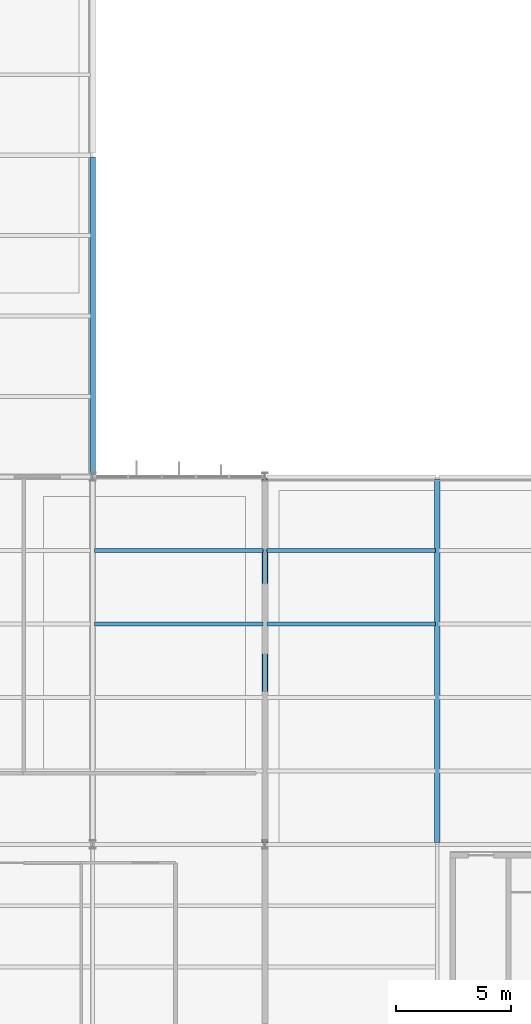
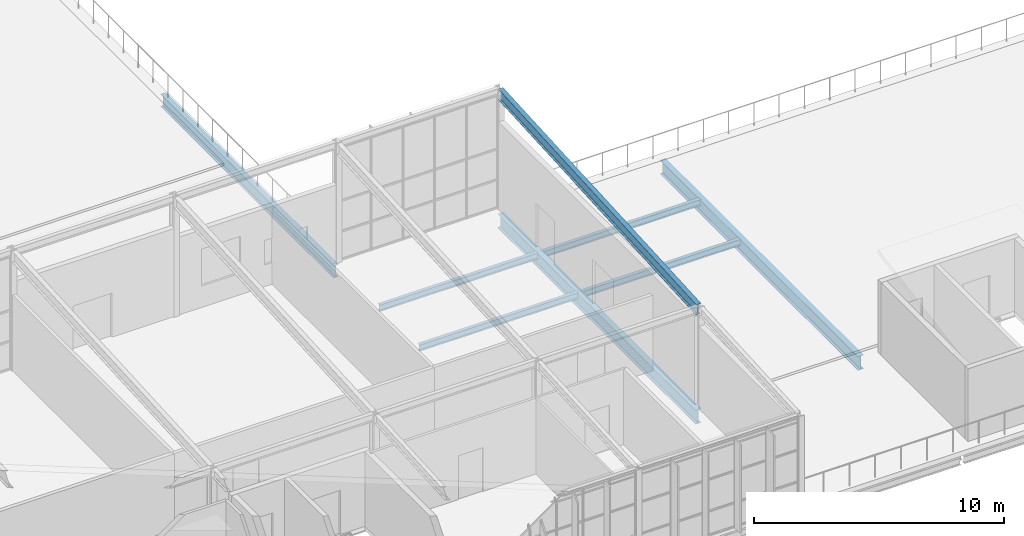
# One storey, part 28 of 104: 8 beams.
"""IFC4 building model written with IfcOpenShell, lengths in metres."""

from ifc_helpers import new_model, si_unit, direction, frame, origin, origin_2d, place, context, subcontext, project, spatial, i_section, extrude, material, material_profile, profile_set, type_object, element, save


model = new_model("IFC4")

# Units and contexts
model_context = context("Model", 3, precision=1e-05, world=origin(), true_north=direction((0.0, 1.0)))
body_context = subcontext(model_context, "Body", "Model", "MODEL_VIEW")
ifc_project = project(units=[si_unit("LENGTHUNIT", "METRE"), si_unit("AREAUNIT", "SQUARE_METRE"), si_unit("VOLUMEUNIT", "CUBIC_METRE"), si_unit("PLANEANGLEUNIT", "RADIAN"), si_unit("MASSUNIT", "GRAM", prefix="KILO")], contexts=[model_context])

# Site, building, storey
site_placement = place(None, origin())
site = spatial("IfcSite", under=ifc_project, at=site_placement, CompositionType="ELEMENT")
building_placement = place(site_placement, origin())
building = spatial("IfcBuilding", under=site, at=building_placement, Name="Solvenia Promenade Tram Depot", CompositionType="ELEMENT")
storey_placement = place(building_placement, frame((0.0, 0.0, 9.0)))
storey = spatial("IfcBuildingStorey", under=building, at=storey_placement, Name="L02", CompositionType="ELEMENT", Elevation=9.0)

# Beams
ifc_material = material(Name="Structural steel ASTM A992 Gr. 50", Category="steel")
ifc_material_profile_1 = material_profile(ifc_material, i_section(OverallWidth=0.2099609375, OverallDepth=0.537109375, WebThickness=0.010986328125, FlangeThickness=0.017333984375, FilletRadius=0.013916015625, at=origin_2d()), Name="W530x101", Category="steel")
ifc_profile_set_1 = profile_set([ifc_material_profile_1], Name="Structural steel ASTM A992 Gr. 50")
beam_type_1 = type_object("IfcBeamType", Name="Gird-W530x101", PredefinedType="BEAM", material=ifc_profile_set_1)
beam_1_placement = place(storey_placement, frame((52.5, 8.0849609375, 4.658203125), z_axis=(0.0, 0.998266347418, 0.058858301144), x_axis=(-1.0, 0.0, 0.0)))
element("IfcBeam", 1, at=beam_1_placement, inside=storey, type_object=beam_type_1, Name="Folded Wing Main Rafter BM-L02-0857", PredefinedType="BEAM", context=body_context, shape_type="SweptSolid", body=[
    extrude(i_section(OverallWidth=0.2099609375, OverallDepth=0.537109375, WebThickness=0.010986328125, FlangeThickness=0.017333984375, FilletRadius=0.013916015625, at=origin_2d()), origin(), (0.0, 0.0, 1.0), 15.857666015625),
])
ifc_material_profile_2 = material_profile(ifc_material, i_section(OverallWidth=0.22900390625, OverallDepth=0.612060546875, WebThickness=0.011962890625, FlangeThickness=0.01953125, FilletRadius=0.014892578125, at=origin_2d()), Name="W610x125", Category="steel")
ifc_profile_set_2 = profile_set([ifc_material_profile_2], Name="Structural steel ASTM A992 Gr. 50")
beam_type_2 = type_object("IfcBeamType", Name="Gird-W610x125", PredefinedType="BEAM", material=ifc_profile_set_2)
beam_2_placement = place(storey_placement, frame((45.0, 24.0849609375, -0.56591796875), z_axis=(0.0, 1.0, 0.0), x_axis=(-1.0, 0.0, 0.0)))
element("IfcBeam", 2, at=beam_2_placement, inside=storey, type_object=beam_type_2, Name="Transverse Girder BM-L02-0686", PredefinedType="BEAM", context=body_context, shape_type="SweptSolid", body=[
    extrude(i_section(OverallWidth=0.22900390625, OverallDepth=0.612060546875, WebThickness=0.011962890625, FlangeThickness=0.01953125, FilletRadius=0.014892578125, at=origin_2d()), origin(), (0.0, 0.0, 1.0), 13.830078125),
])
ifc_material_profile_3 = material_profile(ifc_material, i_section(OverallWidth=0.25390625, OverallDepth=0.68408203125, WebThickness=0.012451171875, FlangeThickness=0.018798828125, FilletRadius=0.01611328125, at=origin_2d()), Name="W690x140", Category="steel")
ifc_profile_set_3 = profile_set([ifc_material_profile_3], Name="Structural steel ASTM A992 Gr. 50")
beam_type_3 = type_object("IfcBeamType", Name="Gird-W690x140", PredefinedType="BEAM", material=ifc_profile_set_3)
for number, where, z_axis, x_axis, name in (
    (3, (52.5, 8.0849609375, -0.58203125), (0.0, 1.0, 0.0), (-1.0, 0.0, 0.0), "Transverse Girder BM-L02-0557"),
    (4, (60.0, 8.0849609375, -0.58203125), (0.0, 1.0, 0.0), (-1.0, 0.0, 0.0), "Transverse Girder BM-L02-0756"),
):
    element("IfcBeam", number, at=place(storey_placement, frame(where, z_axis=z_axis, x_axis=x_axis)), inside=storey, type_object=beam_type_3, Name=name, PredefinedType="BEAM", context=body_context, shape_type="SweptSolid", body=[
        extrude(i_section(OverallWidth=0.25390625, OverallDepth=0.68408203125, WebThickness=0.012451171875, FlangeThickness=0.018798828125, FilletRadius=0.01611328125, at=origin_2d()), origin(), (0.0, 0.0, 1.0), 15.830078125),
    ])
ifc_material_profile_4 = material_profile(ifc_material, i_section(OverallWidth=0.166015625, OverallDepth=0.31298828125, WebThickness=0.006591796875, FlangeThickness=0.01123046875, FilletRadius=0.010009765625, at=origin_2d()), Name="W310x45", Category="steel")
ifc_profile_set_4 = profile_set([ifc_material_profile_4], Name="Structural steel ASTM A992 Gr. 50")
beam_type_4 = type_object("IfcBeamType", Name="Joist-W310x45", PredefinedType="JOIST", material=ifc_profile_set_4)
for number, where, z_axis, x_axis, name in (
    (5, (45.0849609375, 17.60009765625, -0.37646484375), (1.0, 0.0, 0.0), (0.0, 1.0, 0.0), "Secondary Floor Joist BM-L02-0593"),
    (6, (45.0849609375, 20.800048828125, -0.37646484375), (1.0, 0.0, 0.0), (0.0, 1.0, 0.0), "Secondary Floor Joist BM-L02-0594"),
    (7, (52.5849609375, 17.60009765625, -0.396484375), (1.0, 0.0, 0.0), (0.0, 1.0, 0.0), "Secondary Floor Joist BM-L02-0769"),
    (8, (52.5849609375, 20.800048828125, -0.396484375), (1.0, 0.0, 0.0), (0.0, 1.0, 0.0), "Secondary Floor Joist BM-L02-0770"),
):
    element("IfcBeam", number, at=place(storey_placement, frame(where, z_axis=z_axis, x_axis=x_axis)), inside=storey, type_object=beam_type_4, Name=name, PredefinedType="JOIST", context=body_context, shape_type="SweptSolid", body=[
        extrude(i_section(OverallWidth=0.166015625, OverallDepth=0.31298828125, WebThickness=0.006591796875, FlangeThickness=0.01123046875, FilletRadius=0.010009765625, at=origin_2d()), origin(), (0.0, 0.0, 1.0), 7.330078125),
    ])

save(model, "model.ifc")
